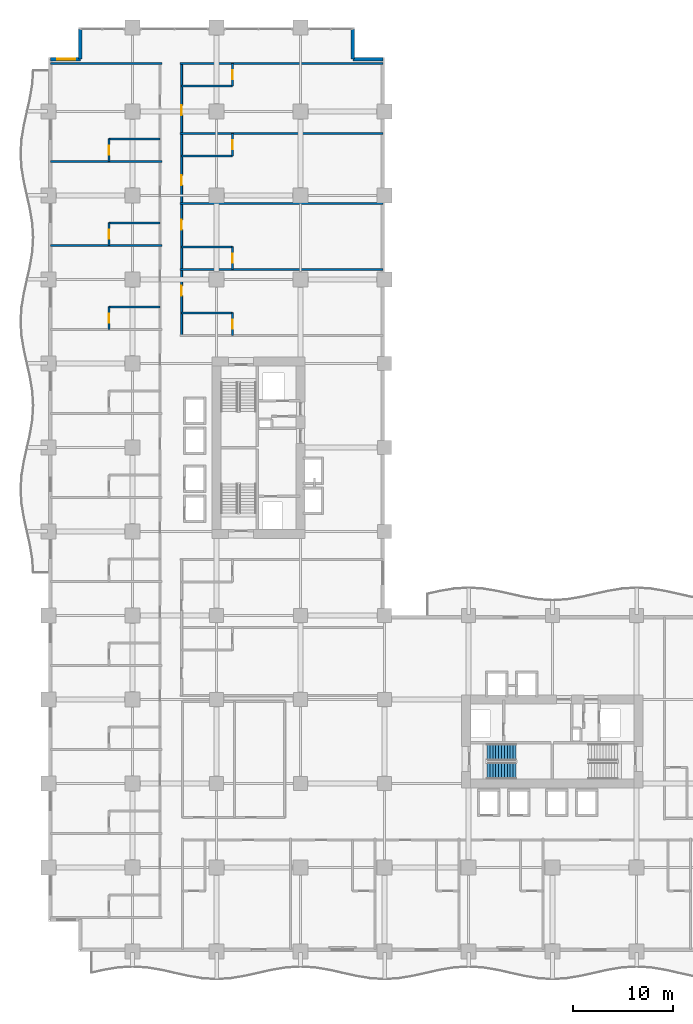
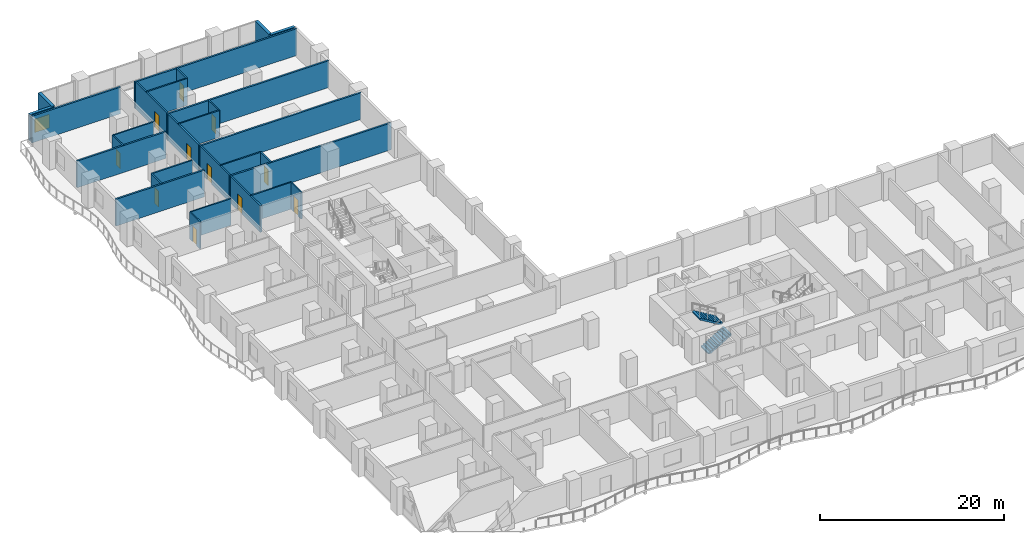
# One storey, part 17 of 23: 26 walls, 11 doors, 2 stair flights, 1 window, 12 openings, 1 element without a shape of its own.
"""IFC4 building model written with IfcOpenShell, lengths in metres."""

from ifc_helpers import new_model, si_unit, direction, frame, frame_2d, origin, place, context, subcontext, project, spatial, polyline, rectangle, outline, extrude, material, layer, layer_set, type_object, element, fill, aggregate, save


model = new_model("IFC4")

# Units and contexts
model_context = context("Model", 3, precision=1e-05, world=origin(), true_north=direction((0.0, 1.0)))
body_context = subcontext(model_context, "Body", "Model", "MODEL_VIEW")
ifc_project = project(units=[si_unit("LENGTHUNIT", "METRE"), si_unit("AREAUNIT", "SQUARE_METRE"), si_unit("VOLUMEUNIT", "CUBIC_METRE"), si_unit("PLANEANGLEUNIT", "RADIAN"), si_unit("MASSUNIT", "GRAM", prefix="KILO")], contexts=[model_context])

# Site, building, storey
site_placement = place(None, origin())
site = spatial("IfcSite", under=ifc_project, at=site_placement, CompositionType="ELEMENT")
building_placement = place(site_placement, origin())
building = spatial("IfcBuilding", under=site, at=building_placement, Name="Koriwani Terraces Tower", CompositionType="ELEMENT")
storey_placement = place(building_placement, frame((0.0, 0.0, 32.0)))
storey = spatial("IfcBuildingStorey", under=building, at=storey_placement, Name="L06", CompositionType="ELEMENT", Elevation=32.0)

# Wall, openings, doors
ifc_material_1 = material(Name="Autoclaved Cellular Concrete Blockwork", Category="masonry")
ifc_layer_1 = layer(ifc_material_1, 0.199951171875, Name="Autoclaved Cellular Concrete Blockwork")
ifc_layer_set_1 = layer_set([ifc_layer_1], Name="Autoclaved Cellular Concrete Blockwork")
wall_type_1 = type_object("IfcWallType", Name="WALL_CORRIDOR_200", PredefinedType="PARTITIONING", material=ifc_layer_set_1)
wall_1_placement = place(storey_placement, frame((13.300048828125, 61.60009765625, 0.0), z_axis=(0.0, 0.0, 1.0), x_axis=(0.0, 1.0, 0.0)))
wall_1 = element("IfcWall", 1, at=wall_1_placement, inside=storey, type_object=wall_type_1, Name="L06 Interior Wall WCOR-L06-NE-0", PredefinedType="PARTITIONING", context=body_context, shape_type="SweptSolid", body=[
    extrude(rectangle(XDim=27.199951171875, YDim=0.199951171875, at=frame_2d((13.60009765625, 0.0))), origin(), (0.0, 0.0, 1.0), 3.550048828125),
])
opening_1_placement = place(wall_1_placement, frame((3.965087890625, 0.0, 0.0)))
opening_1 = element("IfcOpeningElement", 2, at=opening_1_placement, cuts=wall_1, Name="Opening D-05", PredefinedType="OPENING", context=body_context, shape_type="SweptSolid", body=[
    extrude(rectangle(XDim=1.0, YDim=2.14990234375, at=frame_2d((0.5, 1.074951171875))), frame((0.0, 0.10986328125, 0.0), z_axis=(0.0, -1.0, 0.0), x_axis=(1.0, 0.0, 0.0)), (0.0, 0.0, 1.0), 0.219970703125),
])
opening_2_placement = place(wall_1_placement, frame((10.56494140625, 0.0, 0.0)))
opening_2 = element("IfcOpeningElement", 3, at=opening_2_placement, cuts=wall_1, Name="Opening D-05", PredefinedType="OPENING", context=body_context, shape_type="SweptSolid", body=[
    extrude(rectangle(XDim=1.0, YDim=2.14990234375, at=frame_2d((0.5, 1.074951171875))), frame((0.0, 0.10986328125, 0.0), z_axis=(0.0, -1.0, 0.0), x_axis=(1.0, 0.0, 0.0)), (0.0, 0.0, 1.0), 0.219970703125),
])
opening_3_placement = place(wall_1_placement, frame((15.034912109375, 0.0, 0.0)))
opening_3 = element("IfcOpeningElement", 4, at=opening_3_placement, cuts=wall_1, Name="Opening D-05", PredefinedType="OPENING", context=body_context, shape_type="SweptSolid", body=[
    extrude(rectangle(XDim=1.0, YDim=2.14990234375, at=frame_2d((0.5, 1.074951171875))), frame((0.0, 0.10986328125, 0.0), z_axis=(0.0, -1.0, 0.0), x_axis=(1.0, 0.0, 0.0)), (0.0, 0.0, 1.0), 0.219970703125),
])
opening_4_placement = place(wall_1_placement, frame((22.034912109375, 0.0, 0.0)))
opening_4 = element("IfcOpeningElement", 5, at=opening_4_placement, cuts=wall_1, Name="Opening D-05", PredefinedType="OPENING", context=body_context, shape_type="SweptSolid", body=[
    extrude(rectangle(XDim=1.0, YDim=2.14990234375, at=frame_2d((0.5, 1.074951171875))), frame((0.0, 0.10986328125, 0.0), z_axis=(0.0, -1.0, 0.0), x_axis=(1.0, 0.0, 0.0)), (0.0, 0.0, 1.0), 0.219970703125),
])
ifc_material_2 = material(Name="Architectural Oak Fire Door", Category="wood")
door_type_1 = type_object("IfcDoorType", Name="DOOR_SUITE_ENTRY_1000X2150", OperationType="NOTDEFINED", PredefinedType="DOOR", material=ifc_material_2)
door_1_placement = place(opening_1_placement, origin())
door_1 = element("IfcDoor", 6, at=door_1_placement, inside=storey, type_object=door_type_1, Name="Luxury Hotel Suite 06NE1 Entrance Door", OperationType="SINGLE_SWING_RIGHT", OverallHeight=2.14990234375, OverallWidth=1.0, PredefinedType="DOOR", context=body_context, shape_type="SweptSolid", body=[
    extrude(rectangle(XDim=1.0, YDim=2.14990234375, at=frame_2d((0.5, 1.074951171875))), frame((0.0, 0.02490234375, 0.0), z_axis=(0.0, -1.0, 0.0), x_axis=(1.0, 0.0, 0.0)), (0.0, 0.0, 1.0), 0.050048828125),
])
fill(opening_1, door_1)
door_2_placement = place(opening_2_placement, origin())
door_2 = element("IfcDoor", 7, at=door_2_placement, inside=storey, type_object=door_type_1, Name="Luxury Hotel Suite 06NE2 Entrance Door", OperationType="SINGLE_SWING_RIGHT", OverallHeight=2.14990234375, OverallWidth=1.0, PredefinedType="DOOR", context=body_context, shape_type="SweptSolid", body=[
    extrude(rectangle(XDim=1.0, YDim=2.14990234375, at=frame_2d((0.5, 1.074951171875))), frame((0.0, 0.02490234375, 0.0), z_axis=(0.0, -1.0, 0.0), x_axis=(1.0, 0.0, 0.0)), (0.0, 0.0, 1.0), 0.050048828125),
])
fill(opening_2, door_2)
door_3_placement = place(opening_3_placement, origin())
door_3 = element("IfcDoor", 8, at=door_3_placement, inside=storey, type_object=door_type_1, Name="Luxury Hotel Suite 06NE3 Entrance Door", OperationType="SINGLE_SWING_RIGHT", OverallHeight=2.14990234375, OverallWidth=1.0, PredefinedType="DOOR", context=body_context, shape_type="SweptSolid", body=[
    extrude(rectangle(XDim=1.0, YDim=2.14990234375, at=frame_2d((0.5, 1.074951171875))), frame((0.0, 0.02490234375, 0.0), z_axis=(0.0, -1.0, 0.0), x_axis=(1.0, 0.0, 0.0)), (0.0, 0.0, 1.0), 0.050048828125),
])
fill(opening_3, door_3)
door_4_placement = place(opening_4_placement, origin())
door_4 = element("IfcDoor", 9, at=door_4_placement, inside=storey, type_object=door_type_1, Name="Luxury Hotel Suite 06NE4 Entrance Door", OperationType="SINGLE_SWING_RIGHT", OverallHeight=2.14990234375, OverallWidth=1.0, PredefinedType="DOOR", context=body_context, shape_type="SweptSolid", body=[
    extrude(rectangle(XDim=1.0, YDim=2.14990234375, at=frame_2d((0.5, 1.074951171875))), frame((0.0, 0.02490234375, 0.0), z_axis=(0.0, -1.0, 0.0), x_axis=(1.0, 0.0, 0.0)), (0.0, 0.0, 1.0), 0.050048828125),
])
fill(opening_4, door_4)

# Walls
ifc_layer_2 = layer(ifc_material_1, 0.219970703125, Name="Autoclaved Cellular Concrete Blockwork")
ifc_layer_set_2 = layer_set([ifc_layer_2], Name="Autoclaved Cellular Concrete Blockwork")
wall_type_2 = type_object("IfcWallType", Name="WALL_DEMISING_220", PredefinedType="PARTITIONING", material=ifc_layer_set_2)
for number, where, z_axis, x_axis, name in (
    (10, (0.199951171875, 70.60009765625, 0.0), (0.0, 0.0, 1.0), (1.0, 0.0, 0.0), "L06 Interior Wall WDEM-L06-NW-8"),
    (11, (0.199951171875, 79.0, 0.0), (0.0, 0.0, 1.0), (1.0, 0.0, 0.0), "L06 Interior Wall WDEM-L06-NW-9"),
    (12, (0.199951171875, 88.800048828125, 0.0), (0.0, 0.0, 1.0), (1.0, 0.0, 0.0), "L06 Interior Wall WDEME-L06-NW"),
):
    element("IfcWall", number, at=place(storey_placement, frame(where, z_axis=z_axis, x_axis=x_axis)), inside=storey, type_object=wall_type_2, Name=name, PredefinedType="PARTITIONING", context=body_context, shape_type="SweptSolid", body=[
        extrude(rectangle(XDim=11.130126953125, YDim=0.219970703125, at=frame_2d((5.56494140625, 0.0))), origin(), (0.0, 0.0, 1.0), 3.550048828125),
    ])
for number, where, z_axis, x_axis, name in (
    (13, (13.14990234375, 68.199951171875, 0.0), (0.0, 0.0, 1.0), (1.0, 0.0, 0.0), "L06 Interior Wall WDEM-L06-NE-1"),
    (14, (13.14990234375, 74.800048828125, 0.0), (0.0, 0.0, 1.0), (1.0, 0.0, 0.0), "L06 Interior Wall WDEM-L06-NE-2"),
    (15, (13.14990234375, 81.800048828125, 0.0), (0.0, 0.0, 1.0), (1.0, 0.0, 0.0), "L06 Interior Wall WDEM-L06-NE-3"),
    (16, (13.14990234375, 88.800048828125, 0.0), (0.0, 0.0, 1.0), (1.0, 0.0, 0.0), "L06 Interior Wall WDEME-L06-NE"),
):
    element("IfcWall", number, at=place(storey_placement, frame(where, z_axis=z_axis, x_axis=x_axis)), inside=storey, type_object=wall_type_2, Name=name, PredefinedType="PARTITIONING", context=body_context, shape_type="SweptSolid", body=[
        extrude(rectangle(XDim=20.280029296875, YDim=0.219970703125, at=frame_2d((10.14013671875, 0.0))), origin(), (0.0, 0.0, 1.0), 3.550048828125),
    ])

# Wall, opening, window
ifc_material_3 = material(Name="Concrete C50/60", Category="concrete")
ifc_layer_3 = layer(ifc_material_3, 0.35009765625, Name="Concrete C50/60")
ifc_layer_set_3 = layer_set([ifc_layer_3], Name="Concrete C50/60")
wall_type_3 = type_object("IfcWallType", Name="WALL_EXT_BRUTALIST_350", PredefinedType="STANDARD", material=ifc_layer_set_3)
wall_2_placement = place(storey_placement, frame((0.175048828125, 89.22509765625, 0.0), z_axis=(0.0, 0.0, 1.0), x_axis=(1.0, 0.0, 0.0)))
wall_2 = element("IfcWall", 17, at=wall_2_placement, inside=storey, type_object=wall_type_3, Name="L06 Fair-Faced Brutalist Exterior Wall (N3)", PredefinedType="STANDARD", context=body_context, shape_type="SweptSolid", body=[
    extrude(rectangle(XDim=3.0, YDim=0.35009765625, at=frame_2d((1.5, 0.0))), origin(), (0.0, 0.0, 1.0), 3.550048828125),
])
opening_5_placement = place(wall_2_placement, frame((0.677490234375, 0.0, 0.85009765625)))
opening_5 = element("IfcOpeningElement", 18, at=opening_5_placement, cuts=wall_2, Name="Opening W-04", PredefinedType="OPENING", context=body_context, shape_type="SweptSolid", body=[
    extrude(rectangle(XDim=1.800048828125, YDim=1.800048828125, at=frame_2d((0.89990234375, 0.89990234375))), frame((0.0, 0.18505859375, 0.0), z_axis=(0.0, -1.0, 0.0), x_axis=(1.0, 0.0, 0.0)), (0.0, 0.0, 1.0), 0.3701171875),
])
ifc_material_4 = material(Name="Tempered Laminated Low-E Glass", Category="glass")
window_type = type_object("IfcWindowType", Name="WIN_RES_BED_1800X1800", PartitioningType="DOUBLE_PANEL_VERTICAL", PredefinedType="WINDOW", material=ifc_material_4)
window_placement = place(opening_5_placement, origin())
window = element("IfcWindow", 19, at=window_placement, inside=storey, type_object=window_type, Name="L06 Exterior Window (N3-R53)", OverallHeight=1.800048828125, OverallWidth=1.800048828125, PartitioningType="SINGLE_PANEL", PredefinedType="WINDOW", context=body_context, shape_type="SweptSolid", body=[
    extrude(rectangle(XDim=1.800048828125, YDim=1.800048828125, at=frame_2d((0.89990234375, 0.89990234375))), frame((0.0, 0.030029296875, 0.0), z_axis=(0.0, -1.0, 0.0), x_axis=(1.0, 0.0, 0.0)), (0.0, 0.0, 1.0), 0.06005859375),
])
fill(opening_5, window)

# Walls
for number, where, z_axis, x_axis, name in (
    (20, (3.175048828125, 89.22509765625, 0.0), (0.0, 0.0, 1.0), (0.0, 1.0, 0.0), "L06 Fair-Faced Brutalist Exterior Wall (N4)"),
    (21, (30.425048828125, 92.22509765625, 0.0), (0.0, 0.0, 1.0), (0.0, -1.0, 0.0), "L06 Fair-Faced Brutalist Exterior Wall (N6)"),
    (22, (30.425048828125, 89.22509765625, 0.0), (0.0, 0.0, 1.0), (1.0, 0.0, 0.0), "L06 Fair-Faced Brutalist Exterior Wall (N7)"),
):
    element("IfcWall", number, at=place(storey_placement, frame(where, z_axis=z_axis, x_axis=x_axis)), inside=storey, type_object=wall_type_3, Name=name, PredefinedType="STANDARD", context=body_context, shape_type="SweptSolid", body=[
        extrude(rectangle(XDim=3.0, YDim=0.35009765625, at=frame_2d((1.5, 0.0))), origin(), (0.0, 0.0, 1.0), 3.550048828125),
    ])

# Wall, opening, door
ifc_material_5 = material(Name="Fire-Rated Acoustic Gypsum Partition", Category="masonry")
ifc_layer_4 = layer(ifc_material_5, 0.179931640625, Name="Fire-Rated Acoustic Gypsum Partition")
ifc_layer_set_4 = layer_set([ifc_layer_4], Name="Fire-Rated Acoustic Gypsum Partition")
wall_type_4 = type_object("IfcWallType", Name="WALL_PLUMBING_180", PredefinedType="PLUMBINGWALL", material=ifc_layer_set_4)
wall_3_placement = place(storey_placement, frame((6.050048828125, 62.199951171875, 0.0), z_axis=(0.0, 0.0, 1.0), x_axis=(0.0, 1.0, 0.0)))
wall_3 = element("IfcWall", 23, at=wall_3_placement, inside=storey, type_object=wall_type_4, Name="L06 Interior Wall WBTH1-L06-NW-7", PredefinedType="PLUMBINGWALL", context=body_context, shape_type="SweptSolid", body=[
    extrude(rectangle(XDim=2.25, YDim=0.179931640625, at=frame_2d((1.125, 0.0))), origin(), (0.0, 0.0, 1.0), 3.550048828125),
])
opening_6_placement = place(wall_3_placement, frame((0.675048828125, 0.0, 0.0)))
opening_6 = element("IfcOpeningElement", 24, at=opening_6_placement, cuts=wall_3, Name="Opening D-07", PredefinedType="OPENING", context=body_context, shape_type="SweptSolid", body=[
    extrude(rectangle(XDim=0.89990234375, YDim=2.10009765625, at=frame_2d((0.449951171875, 1.050048828125))), frame((0.0, 0.10009765625, 0.0), z_axis=(0.0, -1.0, 0.0), x_axis=(1.0, 0.0, 0.0)), (0.0, 0.0, 1.0), 0.199951171875),
])
door_type_2 = type_object("IfcDoorType", Name="DOOR_BATH_INT_900X2100", OperationType="NOTDEFINED", PredefinedType="DOOR", material=ifc_material_2)
door_5_placement = place(opening_6_placement, origin())
door_5 = element("IfcDoor", 25, at=door_5_placement, inside=storey, type_object=door_type_2, Name="En-Suite Bathroom 06NW8 Door", OperationType="SINGLE_SWING_LEFT", OverallHeight=2.10009765625, OverallWidth=0.89990234375, PredefinedType="DOOR", context=body_context, shape_type="SweptSolid", body=[
    extrude(rectangle(XDim=0.89990234375, YDim=2.10009765625, at=frame_2d((0.449951171875, 1.050048828125))), frame((0.0, 0.02490234375, 0.0), z_axis=(0.0, -1.0, 0.0), x_axis=(1.0, 0.0, 0.0)), (0.0, 0.0, 1.0), 0.050048828125),
])
fill(opening_6, door_5)

# Wall
wall_4_placement = place(storey_placement, frame((6.050048828125, 64.449951171875, 0.0), z_axis=(0.0, 0.0, 1.0), x_axis=(1.0, 0.0, 0.0)))
element("IfcWall", 26, at=wall_4_placement, inside=storey, type_object=wall_type_4, Name="L06 Interior Wall WBTH2-L06-NW-7", PredefinedType="PLUMBINGWALL", context=body_context, shape_type="SweptSolid", body=[
    extrude(rectangle(XDim=5.099853515625, YDim=0.179931640625, at=frame_2d((2.5498046875, 0.0))), origin(), (0.0, 0.0, 1.0), 3.550048828125),
])

# Wall, opening, door
wall_5_placement = place(storey_placement, frame((6.050048828125, 70.60009765625, 0.0), z_axis=(0.0, 0.0, 1.0), x_axis=(0.0, 1.0, 0.0)))
wall_5 = element("IfcWall", 27, at=wall_5_placement, inside=storey, type_object=wall_type_4, Name="L06 Interior Wall WBTH1-L06-NW-8", PredefinedType="PLUMBINGWALL", context=body_context, shape_type="SweptSolid", body=[
    extrude(rectangle(XDim=2.25, YDim=0.179931640625, at=frame_2d((1.125, 0.0))), origin(), (0.0, 0.0, 1.0), 3.550048828125),
])
opening_7_placement = place(wall_5_placement, frame((0.675048828125, 0.0, 0.0)))
opening_7 = element("IfcOpeningElement", 28, at=opening_7_placement, cuts=wall_5, Name="Opening D-07", PredefinedType="OPENING", context=body_context, shape_type="SweptSolid", body=[
    extrude(rectangle(XDim=0.89990234375, YDim=2.10009765625, at=frame_2d((0.449951171875, 1.050048828125))), frame((0.0, 0.10009765625, 0.0), z_axis=(0.0, -1.0, 0.0), x_axis=(1.0, 0.0, 0.0)), (0.0, 0.0, 1.0), 0.199951171875),
])
door_6_placement = place(opening_7_placement, origin())
door_6 = element("IfcDoor", 29, at=door_6_placement, inside=storey, type_object=door_type_2, Name="En-Suite Bathroom 06NW9 Door", OperationType="SINGLE_SWING_LEFT", OverallHeight=2.10009765625, OverallWidth=0.89990234375, PredefinedType="DOOR", context=body_context, shape_type="SweptSolid", body=[
    extrude(rectangle(XDim=0.89990234375, YDim=2.10009765625, at=frame_2d((0.449951171875, 1.050048828125))), frame((0.0, 0.02490234375, 0.0), z_axis=(0.0, -1.0, 0.0), x_axis=(1.0, 0.0, 0.0)), (0.0, 0.0, 1.0), 0.050048828125),
])
fill(opening_7, door_6)

# Wall
wall_6_placement = place(storey_placement, frame((6.050048828125, 72.85009765625, 0.0), z_axis=(0.0, 0.0, 1.0), x_axis=(1.0, 0.0, 0.0)))
element("IfcWall", 30, at=wall_6_placement, inside=storey, type_object=wall_type_4, Name="L06 Interior Wall WBTH2-L06-NW-8", PredefinedType="PLUMBINGWALL", context=body_context, shape_type="SweptSolid", body=[
    extrude(rectangle(XDim=5.099853515625, YDim=0.179931640625, at=frame_2d((2.5498046875, 0.0))), origin(), (0.0, 0.0, 1.0), 3.550048828125),
])

# Wall, opening, door
wall_7_placement = place(storey_placement, frame((6.050048828125, 79.0, 0.0), z_axis=(0.0, 0.0, 1.0), x_axis=(0.0, 1.0, 0.0)))
wall_7 = element("IfcWall", 31, at=wall_7_placement, inside=storey, type_object=wall_type_4, Name="L06 Interior Wall WBTH1-L06-NW-9", PredefinedType="PLUMBINGWALL", context=body_context, shape_type="SweptSolid", body=[
    extrude(rectangle(XDim=2.25, YDim=0.179931640625, at=frame_2d((1.125, 0.0))), origin(), (0.0, 0.0, 1.0), 3.550048828125),
])
opening_8_placement = place(wall_7_placement, frame((0.675048828125, 0.0, 0.0)))
opening_8 = element("IfcOpeningElement", 32, at=opening_8_placement, cuts=wall_7, Name="Opening D-07", PredefinedType="OPENING", context=body_context, shape_type="SweptSolid", body=[
    extrude(rectangle(XDim=0.89990234375, YDim=2.10009765625, at=frame_2d((0.449951171875, 1.050048828125))), frame((0.0, 0.10009765625, 0.0), z_axis=(0.0, -1.0, 0.0), x_axis=(1.0, 0.0, 0.0)), (0.0, 0.0, 1.0), 0.199951171875),
])
door_7_placement = place(opening_8_placement, origin())
door_7 = element("IfcDoor", 33, at=door_7_placement, inside=storey, type_object=door_type_2, Name="En-Suite Bathroom 06NW10 Door", OperationType="SINGLE_SWING_LEFT", OverallHeight=2.10009765625, OverallWidth=0.89990234375, PredefinedType="DOOR", context=body_context, shape_type="SweptSolid", body=[
    extrude(rectangle(XDim=0.89990234375, YDim=2.10009765625, at=frame_2d((0.449951171875, 1.050048828125))), frame((0.0, 0.02490234375, 0.0), z_axis=(0.0, -1.0, 0.0), x_axis=(1.0, 0.0, 0.0)), (0.0, 0.0, 1.0), 0.050048828125),
])
fill(opening_8, door_7)

# Wall
wall_8_placement = place(storey_placement, frame((6.050048828125, 81.25, 0.0), z_axis=(0.0, 0.0, 1.0), x_axis=(1.0, 0.0, 0.0)))
element("IfcWall", 34, at=wall_8_placement, inside=storey, type_object=wall_type_4, Name="L06 Interior Wall WBTH2-L06-NW-9", PredefinedType="PLUMBINGWALL", context=body_context, shape_type="SweptSolid", body=[
    extrude(rectangle(XDim=5.099853515625, YDim=0.179931640625, at=frame_2d((2.5498046875, 0.0))), origin(), (0.0, 0.0, 1.0), 3.550048828125),
])

# Wall, opening, door
wall_9_placement = place(storey_placement, frame((18.39990234375, 61.60009765625, 0.0), z_axis=(0.0, 0.0, 1.0), x_axis=(0.0, 1.0, 0.0)))
wall_9 = element("IfcWall", 35, at=wall_9_placement, inside=storey, type_object=wall_type_4, Name="L06 Interior Wall WBTH1-L06-NE-0", PredefinedType="PLUMBINGWALL", context=body_context, shape_type="SweptSolid", body=[
    extrude(rectangle(XDim=2.25, YDim=0.179931640625, at=frame_2d((1.125, 0.0))), origin(), (0.0, 0.0, 1.0), 3.550048828125),
])
opening_9_placement = place(wall_9_placement, frame((0.675048828125, 0.0, 0.0)))
opening_9 = element("IfcOpeningElement", 36, at=opening_9_placement, cuts=wall_9, Name="Opening D-07", PredefinedType="OPENING", context=body_context, shape_type="SweptSolid", body=[
    extrude(rectangle(XDim=0.89990234375, YDim=2.10009765625, at=frame_2d((0.449951171875, 1.050048828125))), frame((0.0, 0.10009765625, 0.0), z_axis=(0.0, -1.0, 0.0), x_axis=(1.0, 0.0, 0.0)), (0.0, 0.0, 1.0), 0.199951171875),
])
door_8_placement = place(opening_9_placement, origin())
door_8 = element("IfcDoor", 37, at=door_8_placement, inside=storey, type_object=door_type_2, Name="En-Suite Bathroom 06NE1 Door", OperationType="SINGLE_SWING_LEFT", OverallHeight=2.10009765625, OverallWidth=0.89990234375, PredefinedType="DOOR", context=body_context, shape_type="SweptSolid", body=[
    extrude(rectangle(XDim=0.89990234375, YDim=2.10009765625, at=frame_2d((0.449951171875, 1.050048828125))), frame((0.0, 0.02490234375, 0.0), z_axis=(0.0, -1.0, 0.0), x_axis=(1.0, 0.0, 0.0)), (0.0, 0.0, 1.0), 0.050048828125),
])
fill(opening_9, door_8)

# Wall
wall_10_placement = place(storey_placement, frame((13.300048828125, 63.85009765625, 0.0), z_axis=(0.0, 0.0, 1.0), x_axis=(1.0, 0.0, 0.0)))
element("IfcWall", 38, at=wall_10_placement, inside=storey, type_object=wall_type_4, Name="L06 Interior Wall WBTH2-L06-NE-0", PredefinedType="PLUMBINGWALL", context=body_context, shape_type="SweptSolid", body=[
    extrude(rectangle(XDim=5.099853515625, YDim=0.179931640625, at=frame_2d((2.5498046875, 0.0))), origin(), (0.0, 0.0, 1.0), 3.550048828125),
])

# Wall, opening, door
wall_11_placement = place(storey_placement, frame((18.39990234375, 68.199951171875, 0.0), z_axis=(0.0, 0.0, 1.0), x_axis=(0.0, 1.0, 0.0)))
wall_11 = element("IfcWall", 39, at=wall_11_placement, inside=storey, type_object=wall_type_4, Name="L06 Interior Wall WBTH1-L06-NE-1", PredefinedType="PLUMBINGWALL", context=body_context, shape_type="SweptSolid", body=[
    extrude(rectangle(XDim=2.25, YDim=0.179931640625, at=frame_2d((1.125, 0.0))), origin(), (0.0, 0.0, 1.0), 3.550048828125),
])
opening_10_placement = place(wall_11_placement, frame((0.675048828125, 0.0, 0.0)))
opening_10 = element("IfcOpeningElement", 40, at=opening_10_placement, cuts=wall_11, Name="Opening D-07", PredefinedType="OPENING", context=body_context, shape_type="SweptSolid", body=[
    extrude(rectangle(XDim=0.89990234375, YDim=2.10009765625, at=frame_2d((0.449951171875, 1.050048828125))), frame((0.0, 0.10009765625, 0.0), z_axis=(0.0, -1.0, 0.0), x_axis=(1.0, 0.0, 0.0)), (0.0, 0.0, 1.0), 0.199951171875),
])
door_9_placement = place(opening_10_placement, origin())
door_9 = element("IfcDoor", 41, at=door_9_placement, inside=storey, type_object=door_type_2, Name="En-Suite Bathroom 06NE2 Door", OperationType="SINGLE_SWING_LEFT", OverallHeight=2.10009765625, OverallWidth=0.89990234375, PredefinedType="DOOR", context=body_context, shape_type="SweptSolid", body=[
    extrude(rectangle(XDim=0.89990234375, YDim=2.10009765625, at=frame_2d((0.449951171875, 1.050048828125))), frame((0.0, 0.02490234375, 0.0), z_axis=(0.0, -1.0, 0.0), x_axis=(1.0, 0.0, 0.0)), (0.0, 0.0, 1.0), 0.050048828125),
])
fill(opening_10, door_9)

# Wall
wall_12_placement = place(storey_placement, frame((13.300048828125, 70.449951171875, 0.0), z_axis=(0.0, 0.0, 1.0), x_axis=(1.0, 0.0, 0.0)))
element("IfcWall", 42, at=wall_12_placement, inside=storey, type_object=wall_type_4, Name="L06 Interior Wall WBTH2-L06-NE-1", PredefinedType="PLUMBINGWALL", context=body_context, shape_type="SweptSolid", body=[
    extrude(rectangle(XDim=5.099853515625, YDim=0.179931640625, at=frame_2d((2.5498046875, 0.0))), origin(), (0.0, 0.0, 1.0), 3.550048828125),
])

# Wall, opening, door
wall_13_placement = place(storey_placement, frame((18.39990234375, 79.550048828125, 0.0), z_axis=(0.0, 0.0, 1.0), x_axis=(0.0, 1.0, 0.0)))
wall_13 = element("IfcWall", 43, at=wall_13_placement, inside=storey, type_object=wall_type_4, Name="L06 Interior Wall WBTH1-L06-NE-2", PredefinedType="PLUMBINGWALL", context=body_context, shape_type="SweptSolid", body=[
    extrude(rectangle(XDim=2.25, YDim=0.179931640625, at=frame_2d((1.125, 0.0))), origin(), (0.0, 0.0, 1.0), 3.550048828125),
])
opening_11_placement = place(wall_13_placement, frame((0.675048828125, 0.0, 0.0)))
opening_11 = element("IfcOpeningElement", 44, at=opening_11_placement, cuts=wall_13, Name="Opening D-07", PredefinedType="OPENING", context=body_context, shape_type="SweptSolid", body=[
    extrude(rectangle(XDim=0.89990234375, YDim=2.10009765625, at=frame_2d((0.449951171875, 1.050048828125))), frame((0.0, 0.10009765625, 0.0), z_axis=(0.0, -1.0, 0.0), x_axis=(1.0, 0.0, 0.0)), (0.0, 0.0, 1.0), 0.199951171875),
])
door_10_placement = place(opening_11_placement, origin())
door_10 = element("IfcDoor", 45, at=door_10_placement, inside=storey, type_object=door_type_2, Name="En-Suite Bathroom 06NE3 Door", OperationType="SINGLE_SWING_LEFT", OverallHeight=2.10009765625, OverallWidth=0.89990234375, PredefinedType="DOOR", context=body_context, shape_type="SweptSolid", body=[
    extrude(rectangle(XDim=0.89990234375, YDim=2.10009765625, at=frame_2d((0.449951171875, 1.050048828125))), frame((0.0, 0.02490234375, 0.0), z_axis=(0.0, -1.0, 0.0), x_axis=(1.0, 0.0, 0.0)), (0.0, 0.0, 1.0), 0.050048828125),
])
fill(opening_11, door_10)

# Wall
wall_14_placement = place(storey_placement, frame((13.300048828125, 79.550048828125, 0.0), z_axis=(0.0, 0.0, 1.0), x_axis=(1.0, 0.0, 0.0)))
element("IfcWall", 46, at=wall_14_placement, inside=storey, type_object=wall_type_4, Name="L06 Interior Wall WBTH2-L06-NE-2", PredefinedType="PLUMBINGWALL", context=body_context, shape_type="SweptSolid", body=[
    extrude(rectangle(XDim=5.099853515625, YDim=0.179931640625, at=frame_2d((2.5498046875, 0.0))), origin(), (0.0, 0.0, 1.0), 3.550048828125),
])

# Wall, opening, door
wall_15_placement = place(storey_placement, frame((18.39990234375, 86.550048828125, 0.0), z_axis=(0.0, 0.0, 1.0), x_axis=(0.0, 1.0, 0.0)))
wall_15 = element("IfcWall", 47, at=wall_15_placement, inside=storey, type_object=wall_type_4, Name="L06 Interior Wall WBTH1-L06-NE-3", PredefinedType="PLUMBINGWALL", context=body_context, shape_type="SweptSolid", body=[
    extrude(rectangle(XDim=2.25, YDim=0.179931640625, at=frame_2d((1.125, 0.0))), origin(), (0.0, 0.0, 1.0), 3.550048828125),
])
opening_12_placement = place(wall_15_placement, frame((0.675048828125, 0.0, 0.0)))
opening_12 = element("IfcOpeningElement", 48, at=opening_12_placement, cuts=wall_15, Name="Opening D-07", PredefinedType="OPENING", context=body_context, shape_type="SweptSolid", body=[
    extrude(rectangle(XDim=0.89990234375, YDim=2.10009765625, at=frame_2d((0.449951171875, 1.050048828125))), frame((0.0, 0.10009765625, 0.0), z_axis=(0.0, -1.0, 0.0), x_axis=(1.0, 0.0, 0.0)), (0.0, 0.0, 1.0), 0.199951171875),
])
door_11_placement = place(opening_12_placement, origin())
door_11 = element("IfcDoor", 49, at=door_11_placement, inside=storey, type_object=door_type_2, Name="En-Suite Bathroom 06NE4 Door", OperationType="SINGLE_SWING_LEFT", OverallHeight=2.10009765625, OverallWidth=0.89990234375, PredefinedType="DOOR", context=body_context, shape_type="SweptSolid", body=[
    extrude(rectangle(XDim=0.89990234375, YDim=2.10009765625, at=frame_2d((0.449951171875, 1.050048828125))), frame((0.0, 0.02490234375, 0.0), z_axis=(0.0, -1.0, 0.0), x_axis=(1.0, 0.0, 0.0)), (0.0, 0.0, 1.0), 0.050048828125),
])
fill(opening_12, door_11)

# Wall
wall_16_placement = place(storey_placement, frame((13.300048828125, 86.550048828125, 0.0), z_axis=(0.0, 0.0, 1.0), x_axis=(1.0, 0.0, 0.0)))
element("IfcWall", 50, at=wall_16_placement, inside=storey, type_object=wall_type_4, Name="L06 Interior Wall WBTH2-L06-NE-3", PredefinedType="PLUMBINGWALL", context=body_context, shape_type="SweptSolid", body=[
    extrude(rectangle(XDim=5.099853515625, YDim=0.179931640625, at=frame_2d((2.5498046875, 0.0))), origin(), (0.0, 0.0, 1.0), 3.550048828125),
])

# Stair, stair flights
ifc_material_6 = material(Name="Concrete C40/50", Category="concrete")
stair_type = type_object("IfcStairType", Name="STAIR_CORE_DOGLEG_1650", PredefinedType="TWO_STRAIGHT_RUN_STAIR", material=ifc_material_6)
stair_placement = place(storey_placement, origin())
stair = element("IfcStair", 51, at=stair_placement, inside=storey, type_object=stair_type, Name="L06 East Core Exit Stair 1", PredefinedType="HALF_TURN_STAIR")
stair_flight_type = type_object("IfcStairFlightType", Name="STAIR_FLIGHT_RC_1650", PredefinedType="STRAIGHT", material=ifc_material_6)
stair_flight_1_placement = place(storey_placement, frame((43.85009765625, 18.074951171875, 0.0), z_axis=(0.0, 0.0, 1.0), x_axis=(1.0, 0.0, 0.0)))
stair_flight_1 = element("IfcStairFlight", 52, at=stair_flight_1_placement, type_object=stair_flight_type, Name="ST-E1 flight 1", NumberOfRisers=11, NumberOfTreads=10, PredefinedType="STRAIGHT", RiserHeight=0.172727273, TreadLength=0.29, context=body_context, shape_type="SweptSolid", body=[
    extrude(outline(polyline([(0.0, 0.0), (0.0, 0.172607421875), (0.2900390625, 0.172607421875), (0.2900390625, 0.345458984375), (0.580078125, 0.345458984375), (0.580078125, 0.51806640625), (0.8701171875, 0.51806640625), (0.8701171875, 0.69091796875), (1.159912109375, 0.69091796875), (1.159912109375, 0.863525390625), (1.449951171875, 0.863525390625), (1.449951171875, 1.036376953125), (1.739990234375, 1.036376953125), (1.739990234375, 1.208984375), (2.030029296875, 1.208984375), (2.030029296875, 1.3818359375), (2.320068359375, 1.3818359375), (2.320068359375, 1.554443359375), (2.610107421875, 1.554443359375), (2.610107421875, 1.727294921875), (2.89990234375, 1.727294921875), (2.89990234375, 1.89990234375), (2.89990234375, 1.517822265625), (0.3515625, 0.0), (0.0, 0.0)])), frame((0.0, 0.824951171875, 0.0), z_axis=(0.0, -1.0, 0.0), x_axis=(1.0, 0.0, 0.0)), (0.0, 0.0, 1.0), 1.64990234375),
])
stair_flight_2_placement = place(storey_placement, frame((46.75, 19.925048828125, 1.89990234375), z_axis=(0.0, 0.0, 1.0), x_axis=(-1.0, 0.0, 0.0)))
stair_flight_2 = element("IfcStairFlight", 53, at=stair_flight_2_placement, type_object=stair_flight_type, Name="ST-E1 flight 2", NumberOfRisers=11, NumberOfTreads=10, PredefinedType="STRAIGHT", RiserHeight=0.172727273, TreadLength=0.29, context=body_context, shape_type="SweptSolid", body=[
    extrude(outline(polyline([(0.0, 0.0), (0.0, 0.172607421875), (0.2900390625, 0.172607421875), (0.2900390625, 0.345458984375), (0.580078125, 0.345458984375), (0.580078125, 0.51806640625), (0.8701171875, 0.51806640625), (0.8701171875, 0.69091796875), (1.159912109375, 0.69091796875), (1.159912109375, 0.863525390625), (1.449951171875, 0.863525390625), (1.449951171875, 1.036376953125), (1.739990234375, 1.036376953125), (1.739990234375, 1.208984375), (2.030029296875, 1.208984375), (2.030029296875, 1.3818359375), (2.320068359375, 1.3818359375), (2.320068359375, 1.554443359375), (2.610107421875, 1.554443359375), (2.610107421875, 1.727294921875), (2.89990234375, 1.727294921875), (2.89990234375, 1.89990234375), (2.89990234375, 1.517822265625), (0.3515625, 0.0), (0.0, 0.0)])), frame((0.0, 0.824951171875, 0.0), z_axis=(0.0, -1.0, 0.0), x_axis=(1.0, 0.0, 0.0)), (0.0, 0.0, 1.0), 1.64990234375),
])
aggregate(stair, [stair_flight_1, stair_flight_2])

save(model, "model.ifc")
